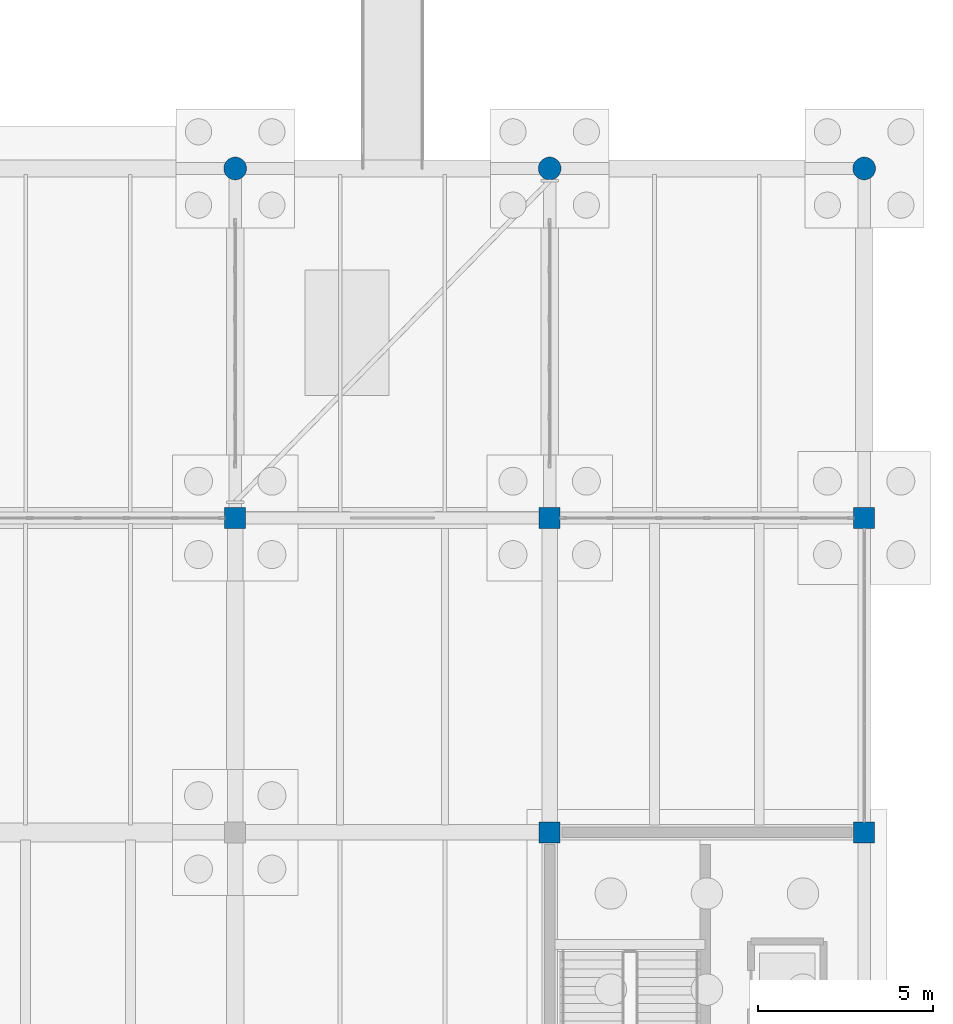
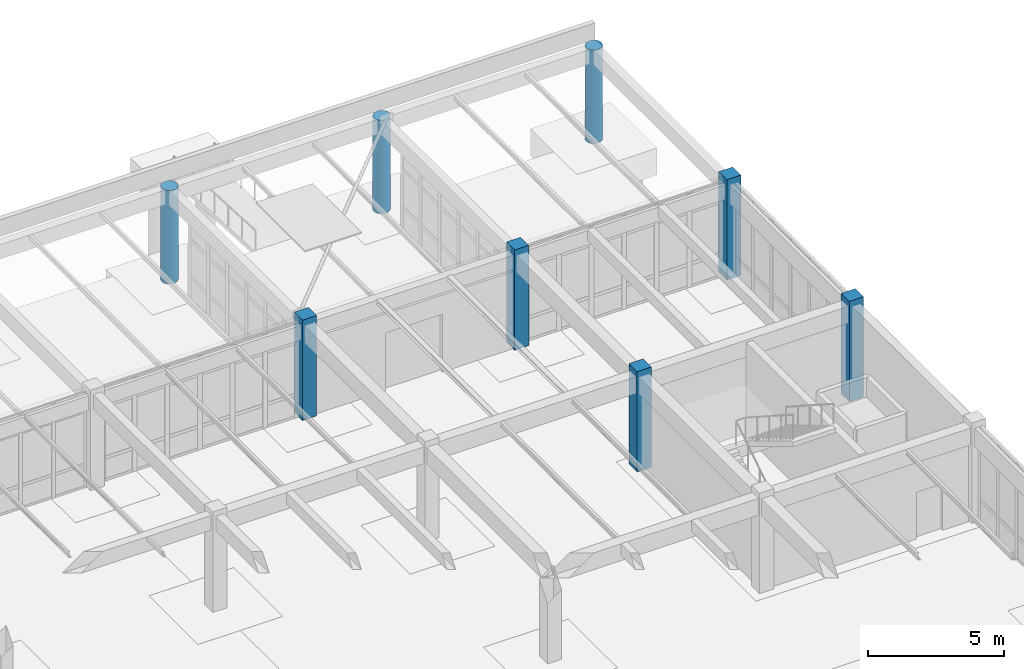
# One storey, part 22 of 186: 8 columns.
"""IFC4 building model written with IfcOpenShell, lengths in metres."""

from ifc_helpers import new_model, si_unit, direction, frame, origin, origin_2d, place, context, subcontext, project, spatial, rectangle, circle, extrude, material, material_profile, profile_set, type_object, element, save


model = new_model("IFC4")

# Units and contexts
model_context = context("Model", 3, precision=1e-05, world=origin(), true_north=direction((0.0, 1.0)))
body_context = subcontext(model_context, "Body", "Model", "MODEL_VIEW")
ifc_project = project(units=[si_unit("LENGTHUNIT", "METRE"), si_unit("AREAUNIT", "SQUARE_METRE"), si_unit("VOLUMEUNIT", "CUBIC_METRE"), si_unit("PLANEANGLEUNIT", "RADIAN"), si_unit("MASSUNIT", "GRAM", prefix="KILO")], contexts=[model_context])

# Site, building, storey
site_placement = place(None, origin())
site = spatial("IfcSite", under=ifc_project, at=site_placement, CompositionType="ELEMENT")
building_placement = place(site_placement, origin())
building = spatial("IfcBuilding", under=site, at=building_placement, Name="Ornek Quay Market", CompositionType="ELEMENT")
storey_placement = place(building_placement, origin())
storey = spatial("IfcBuildingStorey", under=building, at=storey_placement, Name="L00", CompositionType="ELEMENT", Elevation=0.0)

# Columns
ifc_material = material(Name="Concrete C40/50", Category="concrete")
ifc_material_profile_1 = material_profile(ifc_material, circle(Radius=0.324951171875, at=origin_2d()), Name="RC D650", Category="concrete")
ifc_profile_set_1 = profile_set([ifc_material_profile_1], Name="Concrete C40/50")
column_type_1 = type_object("IfcColumnType", Name="COL-QUAY-D650", PredefinedType="COLUMN", material=ifc_profile_set_1)
for number, where, z_axis, x_axis, name in (
    (1, (162.0, 120.0, 0.0), (0.0, 0.0, 1.0), (1.0, 0.0, 0.0), "Column C-QD1-017"),
    (2, (171.0, 120.0, 0.0), (0.0, 0.0, 1.0), (1.0, 0.0, 0.0), "Column C-QD1-018"),
    (3, (180.0, 120.0, 0.0), (0.0, 0.0, 1.0), (1.0, 0.0, 0.0), "Column C-QD1-019"),
):
    element("IfcColumn", number, at=place(storey_placement, frame(where, z_axis=z_axis, x_axis=x_axis)), inside=storey, type_object=column_type_1, Name=name, PredefinedType="COLUMN", context=body_context, shape_type="SweptSolid", body=[
        extrude(circle(Radius=0.324951171875, at=origin_2d()), origin(), (0.0, 0.0, 1.0), 4.18994140625),
    ])
ifc_material_profile_2 = material_profile(ifc_material, rectangle(XDim=0.60009765625, YDim=0.60009765625, at=origin_2d()), Name="RC 600x600", Category="concrete")
ifc_profile_set_2 = profile_set([ifc_material_profile_2], Name="Concrete C40/50")
column_type_2 = type_object("IfcColumnType", Name="COL-RC-600x600", PredefinedType="COLUMN", material=ifc_profile_set_2)
for number, where, z_axis, x_axis, name in (
    (4, (162.0, 110.0, 0.0), (0.0, 0.0, 1.0), (1.0, 0.0, 0.0), "Column C-60-033"),
    (5, (171.0, 101.0, 0.0), (0.0, 0.0, 1.0), (1.0, 0.0, 0.0), "Column C-60-037"),
    (6, (171.0, 110.0, 0.0), (0.0, 0.0, 1.0), (1.0, 0.0, 0.0), "Column C-60-038"),
    (7, (180.0, 101.0, 0.0), (0.0, 0.0, 1.0), (1.0, 0.0, 0.0), "Column C-60-042"),
    (8, (180.0, 110.0, 0.0), (0.0, 0.0, 1.0), (1.0, 0.0, 0.0), "Column C-60-043"),
):
    element("IfcColumn", number, at=place(storey_placement, frame(where, z_axis=z_axis, x_axis=x_axis)), inside=storey, type_object=column_type_2, Name=name, PredefinedType="COLUMN", context=body_context, shape_type="SweptSolid", body=[
        extrude(rectangle(XDim=0.60009765625, YDim=0.60009765625, at=origin_2d()), origin(), (0.0, 0.0, 1.0), 4.5),
    ])

save(model, "model.ifc")
